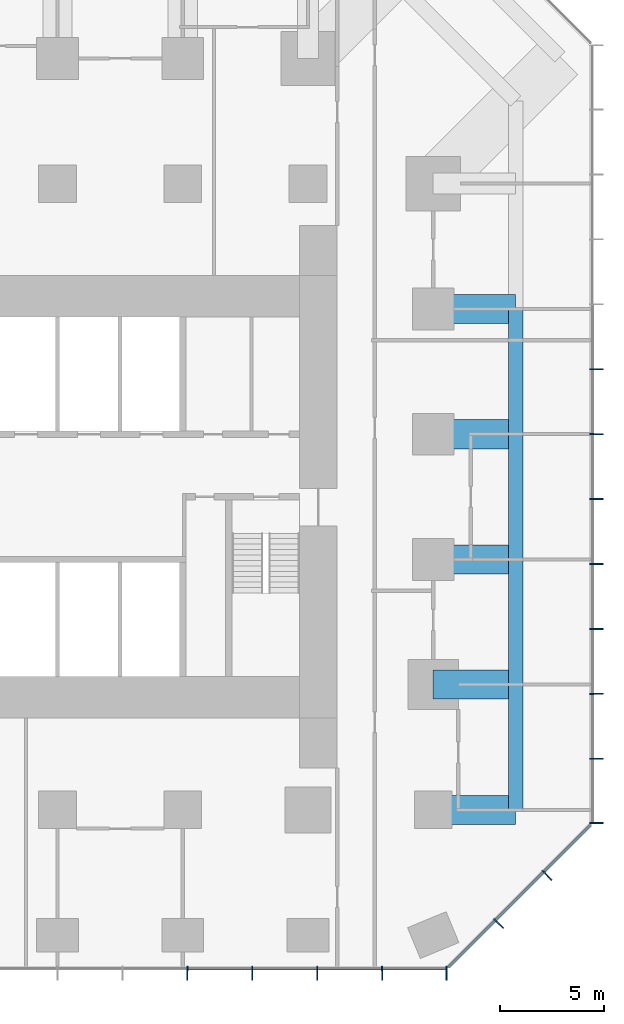
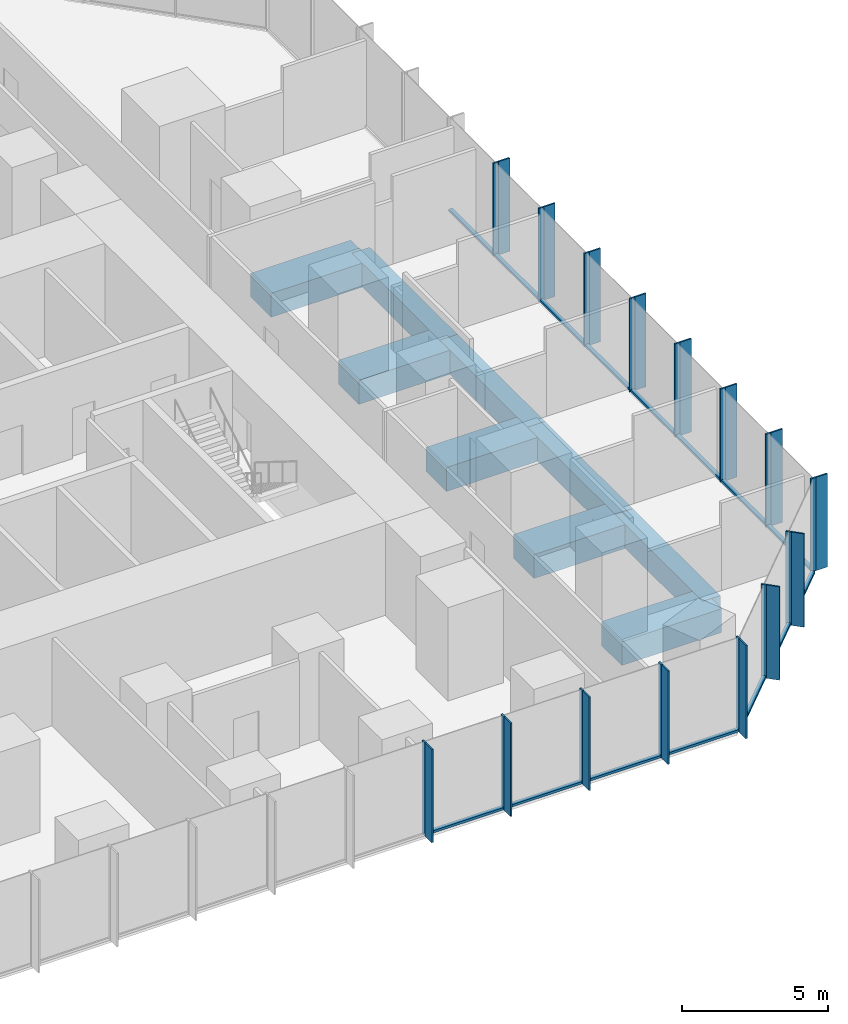
# One storey, part 4 of 12: 45 members, 9 beams, 3 elements without a shape of their own.
"""IFC4 building model written with IfcOpenShell, lengths in metres."""

import ifcopenshell
import ifcopenshell.guid

model = None  # the IFC model being written
_history = None  # IfcOwnerHistory: only IFC2X3 demands one
_inside = {}  # id of a spatial element -> (the spatial element, [elements in it])
_under = {}  # id of a project, library or spatial element -> (it, [spatial elements below it])
_declared = {}  # id of a project -> (the project, [libraries it declares])
_typed = {}  # id of a type object -> (the type object, [elements of that type])
_made_of = {}  # id of a material, layer set ... -> (it, [elements and type objects made of it])


def new_model(schema):
    """Start an empty IFC model of exactly this schema.

    Asked for "IFC4X3", IfcOpenShell would pick the latest addendum, in which some entities
    have other attributes; the version numbers below select the first issue.
    IFC2X3 requires an IfcOwnerHistory on every rooted entity: one is made here for all.
    """
    global model, _history
    if schema == "IFC4X3":
        model = ifcopenshell.file(schema_version=(4, 3, 0, 0))
    else:
        model = ifcopenshell.file(schema=schema)
    _inside.clear()
    _under.clear()
    _declared.clear()
    _typed.clear()
    _made_of.clear()
    _history = None
    if model.schema == "IFC2X3":
        org = make("IfcOrganization", Name="unknown")
        user = make(
            "IfcPersonAndOrganization",
            ThePerson=make("IfcPerson", FamilyName="unknown"),
            TheOrganization=org,
        )
        app = make(
            "IfcApplication",
            ApplicationDeveloper=org,
            Version="unknown",
            ApplicationFullName="unknown",
            ApplicationIdentifier="unknown",
        )
        _history = make(
            "IfcOwnerHistory",
            OwningUser=user,
            OwningApplication=app,
            ChangeAction="ADDED",
            CreationDate=0,
        )
    return model


def make(cls, **values):
    """One entity of the class cls with the attributes given. An attribute that is None is left unset."""
    return model.create_entity(
        cls, **{name: value for name, value in values.items() if value is not None}
    )


def rooted(cls, **values):
    """An entity with a GlobalId (a new one), such as an element, a storey or a relation."""
    return make(cls, GlobalId=ifcopenshell.guid.new(), OwnerHistory=_history, **values)


def si_unit(unit_type, name, prefix=None):
    """IfcSIUnit, for example si_unit("LENGTHUNIT", "METRE", prefix="MILLI")."""
    return make("IfcSIUnit", UnitType=unit_type, Prefix=prefix, Name=name)


def assignment(units):
    """IfcUnitAssignment: the units of a project."""
    return None if units is None else make("IfcUnitAssignment", Units=units)


def point(xyz):
    """IfcCartesianPoint."""
    return None if xyz is None else make("IfcCartesianPoint", Coordinates=xyz)


def direction(xyz):
    """IfcDirection."""
    return None if xyz is None else make("IfcDirection", DirectionRatios=xyz)


def frame(location, z_axis=None, x_axis=None):
    """IfcAxis2Placement3D, a coordinate frame: its origin and axes. An axis left out is left unset."""
    return make(
        "IfcAxis2Placement3D",
        Location=point(location),
        Axis=direction(z_axis),
        RefDirection=direction(x_axis),
    )


def frame_2d(location, x_axis=None):
    """IfcAxis2Placement2D, a coordinate frame in the plane: its origin and x axis."""
    return make(
        "IfcAxis2Placement2D", Location=point(location), RefDirection=direction(x_axis)
    )


def origin():
    """The frame at (0, 0, 0) with its axes left unset."""
    return frame((0.0, 0.0, 0.0))


def origin_2d():
    """The frame at (0, 0) in the plane with its x axis left unset."""
    return frame_2d((0.0, 0.0))


def place(relative_to, where):
    """IfcLocalPlacement: puts the frame where relative to a parent placement (None: the world)."""
    return make(
        "IfcLocalPlacement", PlacementRelTo=relative_to, RelativePlacement=where
    )


def context(
    kind, dimensions, precision=None, world=None, true_north=None, identifier=None
):
    """IfcGeometricRepresentationContext, for example the 3D "Model" context."""
    return make(
        "IfcGeometricRepresentationContext",
        ContextIdentifier=identifier,
        ContextType=kind,
        CoordinateSpaceDimension=dimensions,
        Precision=precision,
        WorldCoordinateSystem=world,
        TrueNorth=true_north,
    )


def subcontext(parent, identifier, kind, view, scale=None):
    """IfcGeometricRepresentationSubContext, for example "Body" below "Model"."""
    return make(
        "IfcGeometricRepresentationSubContext",
        ContextIdentifier=identifier,
        ContextType=kind,
        ParentContext=parent,
        TargetScale=scale,
        TargetView=view,
    )


def project(units=None, contexts=None):
    """IfcProject with its units and contexts."""
    return rooted(
        "IfcProject",
        Name="project",
        RepresentationContexts=contexts,
        UnitsInContext=assignment(units),
    )


def spatial(cls, under=None, at=None, **own):
    """A site, building, storey or space (cls), placed at a placement, below another one or the project."""
    s = rooted(cls, ObjectPlacement=at, **own)
    if under is not None:
        _under.setdefault(under.id(), (under, []))[1].append(s)
    return s


def profile(cls, at=None, kind="AREA", **sizes):
    """A parametric profile (cls). Its sizes go by their IFC names, for example OverallWidth=200.0."""
    return make(cls, ProfileType=kind, Position=at, **sizes)


def rectangle(**sizes):
    """IfcRectangleProfileDef."""
    return profile("IfcRectangleProfileDef", **sizes)


def extrude(swept, where, along, depth):
    """IfcExtrudedAreaSolid: the profile swept, set in the frame where, extruded along a direction by depth."""
    return make(
        "IfcExtrudedAreaSolid",
        SweptArea=swept,
        Position=where,
        ExtrudedDirection=direction(along),
        Depth=depth,
    )


def shape(context_of_items, identifier, shape_type, items):
    """IfcShapeRepresentation: the items that make up one representation, for example the "Body"."""
    return make(
        "IfcShapeRepresentation",
        ContextOfItems=context_of_items,
        RepresentationIdentifier=identifier,
        RepresentationType=shape_type,
        Items=items,
    )


def material(Name=None, Category=None):
    """IfcMaterial."""
    return make("IfcMaterial", Name=Name, Category=Category)


def layer(
    of_material, thickness, ventilated=None, Name=None, Category=None, Priority=None
):
    """IfcMaterialLayer: one layer of a wall or slab, of a material (None: an air gap)."""
    return make(
        "IfcMaterialLayer",
        Material=of_material,
        LayerThickness=thickness,
        IsVentilated=ventilated,
        Name=Name,
        Category=Category,
        Priority=Priority,
    )


def layer_set(layers, Name=None):
    """IfcMaterialLayerSet."""
    return make("IfcMaterialLayerSet", MaterialLayers=layers, LayerSetName=Name)


def material_profile(
    of_material, cross_section, Name=None, Category=None, Priority=None
):
    """IfcMaterialProfile: a cross section and its material."""
    return make(
        "IfcMaterialProfile",
        Name=Name,
        Material=of_material,
        Profile=cross_section,
        Priority=Priority,
        Category=Category,
    )


def profile_set(profiles, Name=None, composite=None):
    """IfcMaterialProfileSet."""
    return make(
        "IfcMaterialProfileSet",
        Name=Name,
        MaterialProfiles=profiles,
        CompositeProfile=composite,
    )


def made_of(thing, what):
    """Note that an element or type object is made of a material, layer set ...; save() writes the relation."""
    if what is not None:
        _made_of.setdefault(what.id(), (what, []))[1].append(thing)
    return thing


def type_object(cls, material=None, **own):
    """A type object (cls), such as IfcWallType, which elements share."""
    return made_of(rooted(cls, **own), material)


def element(
    cls,
    number,
    at=None,
    inside=None,
    cuts=None,
    type_object=None,
    material=None,
    context=None,
    identifier="Body",
    shape_type=None,
    held_by="IfcProductDefinitionShape",
    body=None,
    shapes=None,
    **own,
):
    """One element of the class cls, such as IfcWall. Its Tag is "e" and its number.

    at: its placement. inside: the storey or other place that contains it. cuts: it is an
    opening in that element (IfcRelVoidsElement). A single representation is given by context,
    identifier, shape_type and body (its items); several are given by shapes. held_by: the class
    of the entity that holds the representations. save() writes the other relations.
    """
    e = rooted(cls, Tag="e%d" % number, ObjectPlacement=at, **own)
    if body is not None:
        shapes = [shape(context, identifier, shape_type, body)]
    if shapes is not None:
        e.Representation = make(held_by, Representations=shapes)
    if inside is not None:
        _inside.setdefault(inside.id(), (inside, []))[1].append(e)
    if cuts is not None:
        rooted(
            "IfcRelVoidsElement", RelatingBuildingElement=cuts, RelatedOpeningElement=e
        )
    if type_object is not None:
        _typed.setdefault(type_object.id(), (type_object, []))[1].append(e)
    return made_of(e, material)


def aggregate(whole, parts):
    """IfcRelAggregates: a whole, such as a stair, and the parts it consists of."""
    return rooted("IfcRelAggregates", RelatingObject=whole, RelatedObjects=parts)


def save(model, path):
    """Write the relations noted so far, then the file.

    IfcRelAggregates (storeys below a building ...), IfcRelContainedInSpatialStructure (elements
    in a storey), IfcRelDefinesByType, IfcRelAssociatesMaterial and IfcRelDeclares: one each for
    every whole, place, type object, material and project.
    """
    for whole, parts in _under.values():
        aggregate(whole, parts)
    for where, things in _inside.values():
        rooted(
            "IfcRelContainedInSpatialStructure",
            RelatedElements=things,
            RelatingStructure=where,
        )
    for kind, things in _typed.values():
        rooted("IfcRelDefinesByType", RelatedObjects=things, RelatingType=kind)
    for what, things in _made_of.values():
        rooted("IfcRelAssociatesMaterial", RelatedObjects=things, RelatingMaterial=what)
    for by, libraries in _declared.values():
        rooted("IfcRelDeclares", RelatingContext=by, RelatedDefinitions=libraries)
    model.write(path)


model = new_model("IFC4")

# Units and contexts
model_context = context("Model", 3, precision=1e-05, world=origin(), true_north=direction((0.0, 1.0)))
body_context = subcontext(model_context, "Body", "Model", "MODEL_VIEW")
ifc_project = project(units=[si_unit("LENGTHUNIT", "METRE"), si_unit("AREAUNIT", "SQUARE_METRE"), si_unit("VOLUMEUNIT", "CUBIC_METRE"), si_unit("PLANEANGLEUNIT", "RADIAN"), si_unit("MASSUNIT", "GRAM", prefix="KILO")], contexts=[model_context])

# Site, building, storey
site_placement = place(None, origin())
site = spatial("IfcSite", under=ifc_project, at=site_placement, CompositionType="ELEMENT")
building_placement = place(site_placement, origin())
building = spatial("IfcBuilding", under=site, at=building_placement, Name="Highveld Stack Headquarters", CompositionType="ELEMENT")
storey_placement = place(building_placement, frame((0.0, 0.0, 80.60009765625)))
storey = spatial("IfcBuildingStorey", under=building, at=storey_placement, Name="L19", CompositionType="ELEMENT", Elevation=80.60009765625)

# Beams
ifc_material_1 = material(Name="Concrete C60/75", Category="concrete")
ifc_material_profile_1 = material_profile(ifc_material_1, rectangle(XDim=1.39990234375, YDim=1.0, at=origin_2d()), Name="RC 1400x1000")
ifc_profile_set_1 = profile_set([ifc_material_profile_1], Name="Concrete C60/75")
beam_type_1 = type_object("IfcBeamType", Name="CANTILEVER RIB RC 1400x1000", PredefinedType="USERDEFINED", material=ifc_profile_set_1)
for number, where, z_axis, x_axis, name in (
    (1, (24.0, -12.0, -0.75), (1.0, 0.0, 0.0), (0.0, 1.0, 0.0), "Cantilever rib 10/C L19"),
    (2, (24.0, -6.0, -0.75), (1.0, 0.0, 0.0), (0.0, 1.0, 0.0), "Cantilever rib 10/D L19"),
    (3, (24.0, 0.0, -0.75), (1.0, 0.0, 0.0), (0.0, 1.0, 0.0), "Cantilever rib 10/E L19"),
    (4, (24.0, 6.0, -0.75), (1.0, 0.0, 0.0), (0.0, 1.0, 0.0), "Cantilever rib 10/F L19"),
    (5, (24.0, 12.0, -0.75), (1.0, 0.0, 0.0), (0.0, 1.0, 0.0), "Cantilever rib 10/G L19"),
):
    element("IfcBeam", number, at=place(storey_placement, frame(where, z_axis=z_axis, x_axis=x_axis)), inside=storey, type_object=beam_type_1, Name=name, ObjectType="CANTILEVER RIB", PredefinedType="USERDEFINED", context=body_context, shape_type="SweptSolid", body=[
        extrude(rectangle(XDim=1.39990234375, YDim=1.0, at=origin_2d()), origin(), (0.0, 0.0, 1.0), 3.949951171875),
    ])

# Curtain wall, members
ifc_material_2 = material(Name="Aluminium bronze anodised", Category="aluminium")
ifc_layer_1 = layer(ifc_material_2, 0.199951171875)
ifc_layer_set_1 = layer_set([ifc_layer_1], Name="Aluminium bronze anodised")
curtain_wall_type_1 = type_object("IfcCurtainWallType", Name="CW1 TOWER UNITISED CURTAIN WALL", PredefinedType="NOTDEFINED", material=ifc_layer_set_1)
curtain_wall_1_placement = place(storey_placement, origin())
curtain_wall_1 = element("IfcCurtainWall", 6, at=curtain_wall_1_placement, inside=storey, type_object=curtain_wall_type_1, Name="Curtain wall CW1 L19 S", PredefinedType="NOTDEFINED")
ifc_material_3 = material(Name="Aluminium bronze anodised", Category="aluminium")
ifc_material_profile_2 = material_profile(ifc_material_3, rectangle(XDim=0.449951171875, YDim=0.06005859375, at=origin_2d()), Name="FIN 450x60")
ifc_profile_set_2 = profile_set([ifc_material_profile_2], Name="Aluminium bronze anodised")
member_type_1 = type_object("IfcMemberType", Name="CW1 BRONZE FIN 450x60", PredefinedType="USERDEFINED", material=ifc_profile_set_2)
member_1_placement = place(storey_placement, frame((12.220947265625, -19.925048828125, 0.0), z_axis=(0.0, 0.0, 1.0), x_axis=(0.0, 1.0, 0.0)))
member_1 = element("IfcMember", 7, at=member_1_placement, type_object=member_type_1, Name="CW1 fin L19 9", ObjectType="FIN", PredefinedType="USERDEFINED", context=body_context, shape_type="SweptSolid", body=[
    extrude(rectangle(XDim=0.449951171875, YDim=0.06005859375, at=origin_2d()), origin(), (0.0, 0.0, 1.0), 3.89990234375),
])
member_2_placement = place(storey_placement, frame((15.331298828125, -19.925048828125, 0.0), z_axis=(0.0, 0.0, 1.0), x_axis=(0.0, 1.0, 0.0)))
member_2 = element("IfcMember", 8, at=member_2_placement, type_object=member_type_1, Name="CW1 fin L19 10", ObjectType="FIN", PredefinedType="USERDEFINED", context=body_context, shape_type="SweptSolid", body=[
    extrude(rectangle(XDim=0.449951171875, YDim=0.06005859375, at=origin_2d()), origin(), (0.0, 0.0, 1.0), 3.89990234375),
])
member_3_placement = place(storey_placement, frame((18.44189453125, -19.925048828125, 0.0), z_axis=(0.0, 0.0, 1.0), x_axis=(0.0, 1.0, 0.0)))
member_3 = element("IfcMember", 9, at=member_3_placement, type_object=member_type_1, Name="CW1 fin L19 11", ObjectType="FIN", PredefinedType="USERDEFINED", context=body_context, shape_type="SweptSolid", body=[
    extrude(rectangle(XDim=0.449951171875, YDim=0.06005859375, at=origin_2d()), origin(), (0.0, 0.0, 1.0), 3.89990234375),
])
member_4_placement = place(storey_placement, frame((21.55224609375, -19.925048828125, 0.0), z_axis=(0.0, 0.0, 1.0), x_axis=(0.0, 1.0, 0.0)))
member_4 = element("IfcMember", 10, at=member_4_placement, type_object=member_type_1, Name="CW1 fin L19 12", ObjectType="FIN", PredefinedType="USERDEFINED", context=body_context, shape_type="SweptSolid", body=[
    extrude(rectangle(XDim=0.449951171875, YDim=0.06005859375, at=origin_2d()), origin(), (0.0, 0.0, 1.0), 3.89990234375),
])
member_5_placement = place(storey_placement, frame((24.630126953125, -19.925048828125, 0.0), z_axis=(0.0, 0.0, 1.0), x_axis=(0.0, 1.0, 0.0)))
member_5 = element("IfcMember", 11, at=member_5_placement, type_object=member_type_1, Name="CW1 fin L19 13", ObjectType="FIN", PredefinedType="USERDEFINED", context=body_context, shape_type="SweptSolid", body=[
    extrude(rectangle(XDim=0.449951171875, YDim=0.06005859375, at=origin_2d()), origin(), (0.0, 0.0, 1.0), 3.89990234375),
])

curtain_wall_2_placement = place(storey_placement, origin())
curtain_wall_2 = element("IfcCurtainWall", 12, at=curtain_wall_2_placement, inside=storey, type_object=curtain_wall_type_1, Name="Curtain wall CW1 L19 E", PredefinedType="NOTDEFINED")
member_6_placement = place(storey_placement, frame((31.925048828125, -12.630126953125, 0.0), z_axis=(0.0, 0.0, 1.0), x_axis=(-1.0, 0.0, 0.0)))
member_6 = element("IfcMember", 13, at=member_6_placement, type_object=member_type_1, Name="CW1 fin L19 1", ObjectType="FIN", PredefinedType="USERDEFINED", context=body_context, shape_type="SweptSolid", body=[
    extrude(rectangle(XDim=0.449951171875, YDim=0.06005859375, at=origin_2d()), origin(), (0.0, 0.0, 1.0), 3.89990234375),
])
member_7_placement = place(storey_placement, frame((31.925048828125, -9.55224609375, 0.0), z_axis=(0.0, 0.0, 1.0), x_axis=(-1.0, 0.0, 0.0)))
member_7 = element("IfcMember", 14, at=member_7_placement, type_object=member_type_1, Name="CW1 fin L19 2", ObjectType="FIN", PredefinedType="USERDEFINED", context=body_context, shape_type="SweptSolid", body=[
    extrude(rectangle(XDim=0.449951171875, YDim=0.06005859375, at=origin_2d()), origin(), (0.0, 0.0, 1.0), 3.89990234375),
])
member_8_placement = place(storey_placement, frame((31.925048828125, -6.44189453125, 0.0), z_axis=(0.0, 0.0, 1.0), x_axis=(-1.0, 0.0, 0.0)))
member_8 = element("IfcMember", 15, at=member_8_placement, type_object=member_type_1, Name="CW1 fin L19 3", ObjectType="FIN", PredefinedType="USERDEFINED", context=body_context, shape_type="SweptSolid", body=[
    extrude(rectangle(XDim=0.449951171875, YDim=0.06005859375, at=origin_2d()), origin(), (0.0, 0.0, 1.0), 3.89990234375),
])
member_9_placement = place(storey_placement, frame((31.925048828125, -3.331298828125, 0.0), z_axis=(0.0, 0.0, 1.0), x_axis=(-1.0, 0.0, 0.0)))
member_9 = element("IfcMember", 16, at=member_9_placement, type_object=member_type_1, Name="CW1 fin L19 4", ObjectType="FIN", PredefinedType="USERDEFINED", context=body_context, shape_type="SweptSolid", body=[
    extrude(rectangle(XDim=0.449951171875, YDim=0.06005859375, at=origin_2d()), origin(), (0.0, 0.0, 1.0), 3.89990234375),
])
member_10_placement = place(storey_placement, frame((31.925048828125, -0.220947265625, 0.0), z_axis=(0.0, 0.0, 1.0), x_axis=(-1.0, 0.0, 0.0)))
member_10 = element("IfcMember", 17, at=member_10_placement, type_object=member_type_1, Name="CW1 fin L19 5", ObjectType="FIN", PredefinedType="USERDEFINED", context=body_context, shape_type="SweptSolid", body=[
    extrude(rectangle(XDim=0.449951171875, YDim=0.06005859375, at=origin_2d()), origin(), (0.0, 0.0, 1.0), 3.89990234375),
])
member_11_placement = place(storey_placement, frame((31.925048828125, 2.8896484375, 0.0), z_axis=(0.0, 0.0, 1.0), x_axis=(-1.0, 0.0, 0.0)))
member_11 = element("IfcMember", 18, at=member_11_placement, type_object=member_type_1, Name="CW1 fin L19 6", ObjectType="FIN", PredefinedType="USERDEFINED", context=body_context, shape_type="SweptSolid", body=[
    extrude(rectangle(XDim=0.449951171875, YDim=0.06005859375, at=origin_2d()), origin(), (0.0, 0.0, 1.0), 3.89990234375),
])
member_12_placement = place(storey_placement, frame((31.925048828125, 6.0, 0.0), z_axis=(0.0, 0.0, 1.0), x_axis=(-1.0, 0.0, 0.0)))
member_12 = element("IfcMember", 19, at=member_12_placement, type_object=member_type_1, Name="CW1 fin L19 7", ObjectType="FIN", PredefinedType="USERDEFINED", context=body_context, shape_type="SweptSolid", body=[
    extrude(rectangle(XDim=0.449951171875, YDim=0.06005859375, at=origin_2d()), origin(), (0.0, 0.0, 1.0), 3.89990234375),
])
member_13_placement = place(storey_placement, frame((31.925048828125, 9.110595703125, 0.0), z_axis=(0.0, 0.0, 1.0), x_axis=(-1.0, 0.0, 0.0)))
member_13 = element("IfcMember", 20, at=member_13_placement, type_object=member_type_1, Name="CW1 fin L19 8", ObjectType="FIN", PredefinedType="USERDEFINED", context=body_context, shape_type="SweptSolid", body=[
    extrude(rectangle(XDim=0.449951171875, YDim=0.06005859375, at=origin_2d()), origin(), (0.0, 0.0, 1.0), 3.89990234375),
])

# Member
ifc_material_4 = material(Name="Aluminium bronze anodised", Category="aluminium")
ifc_material_profile_3 = material_profile(ifc_material_4, rectangle(XDim=0.199951171875, YDim=0.06494140625, at=origin_2d()), Name="CW1 MULLION 65x200")
ifc_profile_set_3 = profile_set([ifc_material_profile_3], Name="Aluminium bronze anodised")
member_type_2 = type_object("IfcMemberType", Name="CW1 MULLION 65x200", PredefinedType="MULLION", material=ifc_profile_set_3)
member_14_placement = place(storey_placement, frame((12.220947265625, -19.60009765625, 0.0), z_axis=(0.0, 0.0, 1.0), x_axis=(0.0, 1.0, 0.0)))
member_14 = element("IfcMember", 21, at=member_14_placement, type_object=member_type_2, Name="CW1 mullion L19 9", PredefinedType="MULLION", context=body_context, shape_type="SweptSolid", body=[
    extrude(rectangle(XDim=0.199951171875, YDim=0.06494140625, at=origin_2d()), origin(), (0.0, 0.0, 1.0), 3.89990234375),
])

member_15_placement = place(storey_placement, frame((15.331298828125, -19.60009765625, 0.0), z_axis=(0.0, 0.0, 1.0), x_axis=(0.0, 1.0, 0.0)))
member_15 = element("IfcMember", 22, at=member_15_placement, type_object=member_type_2, Name="CW1 mullion L19 10", PredefinedType="MULLION", context=body_context, shape_type="SweptSolid", body=[
    extrude(rectangle(XDim=0.199951171875, YDim=0.06494140625, at=origin_2d()), origin(), (0.0, 0.0, 1.0), 3.89990234375),
])

member_16_placement = place(storey_placement, frame((18.44189453125, -19.60009765625, 0.0), z_axis=(0.0, 0.0, 1.0), x_axis=(0.0, 1.0, 0.0)))
member_16 = element("IfcMember", 23, at=member_16_placement, type_object=member_type_2, Name="CW1 mullion L19 11", PredefinedType="MULLION", context=body_context, shape_type="SweptSolid", body=[
    extrude(rectangle(XDim=0.199951171875, YDim=0.06494140625, at=origin_2d()), origin(), (0.0, 0.0, 1.0), 3.89990234375),
])

member_17_placement = place(storey_placement, frame((21.55224609375, -19.60009765625, 0.0), z_axis=(0.0, 0.0, 1.0), x_axis=(0.0, 1.0, 0.0)))
member_17 = element("IfcMember", 24, at=member_17_placement, type_object=member_type_2, Name="CW1 mullion L19 12", PredefinedType="MULLION", context=body_context, shape_type="SweptSolid", body=[
    extrude(rectangle(XDim=0.199951171875, YDim=0.06494140625, at=origin_2d()), origin(), (0.0, 0.0, 1.0), 3.89990234375),
])

member_18_placement = place(storey_placement, frame((24.630126953125, -19.60009765625, 0.0), z_axis=(0.0, 0.0, 1.0), x_axis=(0.0, 1.0, 0.0)))
member_18 = element("IfcMember", 25, at=member_18_placement, type_object=member_type_2, Name="CW1 mullion L19 13", PredefinedType="MULLION", context=body_context, shape_type="SweptSolid", body=[
    extrude(rectangle(XDim=0.199951171875, YDim=0.06494140625, at=origin_2d()), origin(), (0.0, 0.0, 1.0), 3.89990234375),
])

member_19_placement = place(storey_placement, frame((31.60009765625, -12.630126953125, 0.0), z_axis=(0.0, 0.0, 1.0), x_axis=(-1.0, 0.0, 0.0)))
member_19 = element("IfcMember", 26, at=member_19_placement, type_object=member_type_2, Name="CW1 mullion L19 1", PredefinedType="MULLION", context=body_context, shape_type="SweptSolid", body=[
    extrude(rectangle(XDim=0.199951171875, YDim=0.06494140625, at=origin_2d()), origin(), (0.0, 0.0, 1.0), 3.89990234375),
])

member_20_placement = place(storey_placement, frame((31.60009765625, -9.55224609375, 0.0), z_axis=(0.0, 0.0, 1.0), x_axis=(-1.0, 0.0, 0.0)))
member_20 = element("IfcMember", 27, at=member_20_placement, type_object=member_type_2, Name="CW1 mullion L19 2", PredefinedType="MULLION", context=body_context, shape_type="SweptSolid", body=[
    extrude(rectangle(XDim=0.199951171875, YDim=0.06494140625, at=origin_2d()), origin(), (0.0, 0.0, 1.0), 3.89990234375),
])

member_21_placement = place(storey_placement, frame((31.60009765625, -6.44189453125, 0.0), z_axis=(0.0, 0.0, 1.0), x_axis=(-1.0, 0.0, 0.0)))
member_21 = element("IfcMember", 28, at=member_21_placement, type_object=member_type_2, Name="CW1 mullion L19 3", PredefinedType="MULLION", context=body_context, shape_type="SweptSolid", body=[
    extrude(rectangle(XDim=0.199951171875, YDim=0.06494140625, at=origin_2d()), origin(), (0.0, 0.0, 1.0), 3.89990234375),
])

member_22_placement = place(storey_placement, frame((31.60009765625, -3.331298828125, 0.0), z_axis=(0.0, 0.0, 1.0), x_axis=(-1.0, 0.0, 0.0)))
member_22 = element("IfcMember", 29, at=member_22_placement, type_object=member_type_2, Name="CW1 mullion L19 4", PredefinedType="MULLION", context=body_context, shape_type="SweptSolid", body=[
    extrude(rectangle(XDim=0.199951171875, YDim=0.06494140625, at=origin_2d()), origin(), (0.0, 0.0, 1.0), 3.89990234375),
])

member_23_placement = place(storey_placement, frame((31.60009765625, -0.220947265625, 0.0), z_axis=(0.0, 0.0, 1.0), x_axis=(-1.0, 0.0, 0.0)))
member_23 = element("IfcMember", 30, at=member_23_placement, type_object=member_type_2, Name="CW1 mullion L19 5", PredefinedType="MULLION", context=body_context, shape_type="SweptSolid", body=[
    extrude(rectangle(XDim=0.199951171875, YDim=0.06494140625, at=origin_2d()), origin(), (0.0, 0.0, 1.0), 3.89990234375),
])

member_24_placement = place(storey_placement, frame((31.60009765625, 2.8896484375, 0.0), z_axis=(0.0, 0.0, 1.0), x_axis=(-1.0, 0.0, 0.0)))
member_24 = element("IfcMember", 31, at=member_24_placement, type_object=member_type_2, Name="CW1 mullion L19 6", PredefinedType="MULLION", context=body_context, shape_type="SweptSolid", body=[
    extrude(rectangle(XDim=0.199951171875, YDim=0.06494140625, at=origin_2d()), origin(), (0.0, 0.0, 1.0), 3.89990234375),
])

member_25_placement = place(storey_placement, frame((31.60009765625, 6.0, 0.0), z_axis=(0.0, 0.0, 1.0), x_axis=(-1.0, 0.0, 0.0)))
member_25 = element("IfcMember", 32, at=member_25_placement, type_object=member_type_2, Name="CW1 mullion L19 7", PredefinedType="MULLION", context=body_context, shape_type="SweptSolid", body=[
    extrude(rectangle(XDim=0.199951171875, YDim=0.06494140625, at=origin_2d()), origin(), (0.0, 0.0, 1.0), 3.89990234375),
])

member_26_placement = place(storey_placement, frame((31.60009765625, 9.110595703125, 0.0), z_axis=(0.0, 0.0, 1.0), x_axis=(-1.0, 0.0, 0.0)))
member_26 = element("IfcMember", 33, at=member_26_placement, type_object=member_type_2, Name="CW1 mullion L19 8", PredefinedType="MULLION", context=body_context, shape_type="SweptSolid", body=[
    extrude(rectangle(XDim=0.199951171875, YDim=0.06494140625, at=origin_2d()), origin(), (0.0, 0.0, 1.0), 3.89990234375),
])

ifc_material_5 = material(Name="Aluminium bronze anodised", Category="aluminium")
ifc_material_profile_4 = material_profile(ifc_material_5, rectangle(XDim=0.14990234375, YDim=0.10009765625, at=origin_2d()), Name="CW1 TRANSOM 150x100")
ifc_profile_set_4 = profile_set([ifc_material_profile_4], Name="Aluminium bronze anodised")
member_type_3 = type_object("IfcMemberType", Name="CW1 STACK TRANSOM 150x100", PredefinedType="USERDEFINED", material=ifc_profile_set_4)
member_27_placement = place(storey_placement, frame((12.25341796875, -19.60009765625, 0.0498046875), z_axis=(1.0, 0.0, 0.0), x_axis=(0.0, 1.0, 0.0)))
member_27 = element("IfcMember", 34, at=member_27_placement, type_object=member_type_3, Name="CW1 transom L19 9.1", ObjectType="TRANSOM", PredefinedType="USERDEFINED", context=body_context, shape_type="SweptSolid", body=[
    extrude(rectangle(XDim=0.14990234375, YDim=0.10009765625, at=origin_2d()), origin(), (0.0, 0.0, 1.0), 3.04541015625),
])

member_28_placement = place(storey_placement, frame((15.364013671875, -19.60009765625, 0.0498046875), z_axis=(1.0, 0.0, 0.0), x_axis=(0.0, 1.0, 0.0)))
member_28 = element("IfcMember", 35, at=member_28_placement, type_object=member_type_3, Name="CW1 transom L19 10.1", ObjectType="TRANSOM", PredefinedType="USERDEFINED", context=body_context, shape_type="SweptSolid", body=[
    extrude(rectangle(XDim=0.14990234375, YDim=0.10009765625, at=origin_2d()), origin(), (0.0, 0.0, 1.0), 3.045166015625),
])

member_29_placement = place(storey_placement, frame((18.474365234375, -19.60009765625, 0.0498046875), z_axis=(1.0, 0.0, 0.0), x_axis=(0.0, 1.0, 0.0)))
member_29 = element("IfcMember", 36, at=member_29_placement, type_object=member_type_3, Name="CW1 transom L19 11.1", ObjectType="TRANSOM", PredefinedType="USERDEFINED", context=body_context, shape_type="SweptSolid", body=[
    extrude(rectangle(XDim=0.14990234375, YDim=0.10009765625, at=origin_2d()), origin(), (0.0, 0.0, 1.0), 3.04541015625),
])

member_30_placement = place(storey_placement, frame((21.584716796875, -19.60009765625, 0.0498046875), z_axis=(1.0, 0.0, 0.0), x_axis=(0.0, 1.0, 0.0)))
member_30 = element("IfcMember", 37, at=member_30_placement, type_object=member_type_3, Name="CW1 transom L19 12.1", ObjectType="TRANSOM", PredefinedType="USERDEFINED", context=body_context, shape_type="SweptSolid", body=[
    extrude(rectangle(XDim=0.14990234375, YDim=0.10009765625, at=origin_2d()), origin(), (0.0, 0.0, 1.0), 3.012939453125),
])

aggregate(curtain_wall_1, [member_14, member_1, member_15, member_2, member_16, member_3, member_17, member_4, member_18, member_5, member_27, member_28, member_29, member_30])

member_31_placement = place(storey_placement, frame((31.60009765625, -12.59765625, 0.0498046875), z_axis=(0.0, 1.0, 0.0), x_axis=(-1.0, 0.0, 0.0)))
member_31 = element("IfcMember", 38, at=member_31_placement, type_object=member_type_3, Name="CW1 transom L19 1.1", ObjectType="TRANSOM", PredefinedType="USERDEFINED", context=body_context, shape_type="SweptSolid", body=[
    extrude(rectangle(XDim=0.14990234375, YDim=0.10009765625, at=origin_2d()), origin(), (0.0, 0.0, 1.0), 3.012939453125),
])

member_32_placement = place(storey_placement, frame((31.60009765625, -9.519775390625, 0.0498046875), z_axis=(0.0, 1.0, 0.0), x_axis=(-1.0, 0.0, 0.0)))
member_32 = element("IfcMember", 39, at=member_32_placement, type_object=member_type_3, Name="CW1 transom L19 2.1", ObjectType="TRANSOM", PredefinedType="USERDEFINED", context=body_context, shape_type="SweptSolid", body=[
    extrude(rectangle(XDim=0.14990234375, YDim=0.10009765625, at=origin_2d()), origin(), (0.0, 0.0, 1.0), 3.04541015625),
])

member_33_placement = place(storey_placement, frame((31.60009765625, -6.4091796875, 0.0498046875), z_axis=(0.0, 1.0, 0.0), x_axis=(-1.0, 0.0, 0.0)))
member_33 = element("IfcMember", 40, at=member_33_placement, type_object=member_type_3, Name="CW1 transom L19 3.1", ObjectType="TRANSOM", PredefinedType="USERDEFINED", context=body_context, shape_type="SweptSolid", body=[
    extrude(rectangle(XDim=0.14990234375, YDim=0.10009765625, at=origin_2d()), origin(), (0.0, 0.0, 1.0), 3.04541015625),
])

member_34_placement = place(storey_placement, frame((31.60009765625, -3.298828125, 0.0498046875), z_axis=(0.0, 1.0, 0.0), x_axis=(-1.0, 0.0, 0.0)))
member_34 = element("IfcMember", 41, at=member_34_placement, type_object=member_type_3, Name="CW1 transom L19 4.1", ObjectType="TRANSOM", PredefinedType="USERDEFINED", context=body_context, shape_type="SweptSolid", body=[
    extrude(rectangle(XDim=0.14990234375, YDim=0.10009765625, at=origin_2d()), origin(), (0.0, 0.0, 1.0), 3.04541015625),
])

member_35_placement = place(storey_placement, frame((31.60009765625, -0.1884765625, 0.0498046875), z_axis=(0.0, 1.0, 0.0), x_axis=(-1.0, 0.0, 0.0)))
member_35 = element("IfcMember", 42, at=member_35_placement, type_object=member_type_3, Name="CW1 transom L19 5.1", ObjectType="TRANSOM", PredefinedType="USERDEFINED", context=body_context, shape_type="SweptSolid", body=[
    extrude(rectangle(XDim=0.14990234375, YDim=0.10009765625, at=origin_2d()), origin(), (0.0, 0.0, 1.0), 3.045654296875),
])

member_36_placement = place(storey_placement, frame((31.60009765625, 2.922119140625, 0.0498046875), z_axis=(0.0, 1.0, 0.0), x_axis=(-1.0, 0.0, 0.0)))
member_36 = element("IfcMember", 43, at=member_36_placement, type_object=member_type_3, Name="CW1 transom L19 6.1", ObjectType="TRANSOM", PredefinedType="USERDEFINED", context=body_context, shape_type="SweptSolid", body=[
    extrude(rectangle(XDim=0.14990234375, YDim=0.10009765625, at=origin_2d()), origin(), (0.0, 0.0, 1.0), 3.04541015625),
])

member_37_placement = place(storey_placement, frame((31.60009765625, 6.032470703125, 0.0498046875), z_axis=(0.0, 1.0, 0.0), x_axis=(-1.0, 0.0, 0.0)))
member_37 = element("IfcMember", 44, at=member_37_placement, type_object=member_type_3, Name="CW1 transom L19 7.1", ObjectType="TRANSOM", PredefinedType="USERDEFINED", context=body_context, shape_type="SweptSolid", body=[
    extrude(rectangle(XDim=0.14990234375, YDim=0.10009765625, at=origin_2d()), origin(), (0.0, 0.0, 1.0), 3.04541015625),
])

member_38_placement = place(storey_placement, frame((31.60009765625, 9.14306640625, 0.0498046875), z_axis=(0.0, 1.0, 0.0), x_axis=(-1.0, 0.0, 0.0)))
member_38 = element("IfcMember", 45, at=member_38_placement, type_object=member_type_3, Name="CW1 transom L19 8.1", ObjectType="TRANSOM", PredefinedType="USERDEFINED", context=body_context, shape_type="SweptSolid", body=[
    extrude(rectangle(XDim=0.14990234375, YDim=0.10009765625, at=origin_2d()), origin(), (0.0, 0.0, 1.0), 3.04541015625),
])

aggregate(curtain_wall_2, [member_19, member_6, member_20, member_7, member_21, member_8, member_22, member_9, member_23, member_10, member_24, member_11, member_25, member_12, member_26, member_13, member_31, member_32, member_33, member_34, member_35, member_36, member_37, member_38])

# Curtain wall, members
ifc_material_6 = material(Name="Aluminium bronze anodised", Category="aluminium")
ifc_layer_2 = layer(ifc_material_6, 0.199951171875)
ifc_layer_set_2 = layer_set([ifc_layer_2], Name="Aluminium bronze anodised")
curtain_wall_type_2 = type_object("IfcCurtainWallType", Name="CW2 TOWER CHAMFER UNITISED CURTAIN WALL", PredefinedType="NOTDEFINED", material=ifc_layer_set_2)
curtain_wall_3_placement = place(storey_placement, origin())
curtain_wall_3 = element("IfcCurtainWall", 46, at=curtain_wall_3_placement, inside=storey, type_object=curtain_wall_type_2, Name="Curtain wall CW2 L19 SE", PredefinedType="NOTDEFINED")
ifc_material_7 = material(Name="Aluminium bronze anodised", Category="aluminium")
ifc_material_profile_5 = material_profile(ifc_material_7, rectangle(XDim=0.449951171875, YDim=0.06005859375, at=origin_2d()), Name="FIN 450x60")
ifc_profile_set_5 = profile_set([ifc_material_profile_5], Name="Aluminium bronze anodised")
member_type_4 = type_object("IfcMemberType", Name="CW2 BRONZE FIN 450x60", PredefinedType="USERDEFINED", material=ifc_profile_set_5)
member_39_placement = place(storey_placement, frame((27.204833984375, -17.517333984375, 0.0), z_axis=(0.0, 0.0, 1.0), x_axis=(-0.707106781187, 0.707106781187, 0.0)))
member_39 = element("IfcMember", 47, at=member_39_placement, type_object=member_type_4, Name="CW2 fin L19 1", ObjectType="FIN", PredefinedType="USERDEFINED", context=body_context, shape_type="SweptSolid", body=[
    extrude(rectangle(XDim=0.449951171875, YDim=0.06005859375, at=origin_2d()), origin(), (0.0, 0.0, 1.0), 3.89990234375),
])
member_40_placement = place(storey_placement, frame((29.517333984375, -15.204833984375, 0.0), z_axis=(0.0, 0.0, 1.0), x_axis=(-0.707106781187, 0.707106781187, 0.0)))
member_40 = element("IfcMember", 48, at=member_40_placement, type_object=member_type_4, Name="CW2 fin L19 2", ObjectType="FIN", PredefinedType="USERDEFINED", context=body_context, shape_type="SweptSolid", body=[
    extrude(rectangle(XDim=0.449951171875, YDim=0.06005859375, at=origin_2d()), origin(), (0.0, 0.0, 1.0), 3.89990234375),
])
ifc_material_8 = material(Name="Aluminium bronze anodised", Category="aluminium")
ifc_material_profile_6 = material_profile(ifc_material_8, rectangle(XDim=0.199951171875, YDim=0.06494140625, at=origin_2d()), Name="CW2 MULLION 65x200")
ifc_profile_set_6 = profile_set([ifc_material_profile_6], Name="Aluminium bronze anodised")
member_type_5 = type_object("IfcMemberType", Name="CW2 MULLION 65x200", PredefinedType="MULLION", material=ifc_profile_set_6)
member_41_placement = place(storey_placement, frame((26.97509765625, -17.28759765625, 0.0), z_axis=(0.0, 0.0, 1.0), x_axis=(-0.707106781187, 0.707106781187, 0.0)))
member_41 = element("IfcMember", 49, at=member_41_placement, type_object=member_type_5, Name="CW2 mullion L19 1", PredefinedType="MULLION", context=body_context, shape_type="SweptSolid", body=[
    extrude(rectangle(XDim=0.199951171875, YDim=0.06494140625, at=origin_2d()), origin(), (0.0, 0.0, 1.0), 3.89990234375),
])
member_42_placement = place(storey_placement, frame((29.28759765625, -14.97509765625, 0.0), z_axis=(0.0, 0.0, 1.0), x_axis=(-0.707106781187, 0.707106781187, 0.0)))
member_42 = element("IfcMember", 50, at=member_42_placement, type_object=member_type_5, Name="CW2 mullion L19 2", PredefinedType="MULLION", context=body_context, shape_type="SweptSolid", body=[
    extrude(rectangle(XDim=0.199951171875, YDim=0.06494140625, at=origin_2d()), origin(), (0.0, 0.0, 1.0), 3.89990234375),
])
ifc_material_9 = material(Name="Aluminium bronze anodised", Category="aluminium")
ifc_material_profile_7 = material_profile(ifc_material_9, rectangle(XDim=0.14990234375, YDim=0.10009765625, at=origin_2d()), Name="CW2 TRANSOM 150x100")
ifc_profile_set_7 = profile_set([ifc_material_profile_7], Name="Aluminium bronze anodised")
member_type_6 = type_object("IfcMemberType", Name="CW2 STACK TRANSOM 150x100", PredefinedType="USERDEFINED", material=ifc_profile_set_7)
member_43_placement = place(storey_placement, frame((24.7333984375, -19.529296875, 0.0498046875), z_axis=(0.707106781187, 0.707106781187, 0.0), x_axis=(-0.707106781187, 0.707106781187, 0.0)))
member_43 = element("IfcMember", 51, at=member_43_placement, type_object=member_type_6, Name="CW2 transom L19 1.1", ObjectType="TRANSOM", PredefinedType="USERDEFINED", context=body_context, shape_type="SweptSolid", body=[
    extrude(rectangle(XDim=0.14990234375, YDim=0.10009765625, at=origin_2d()), origin(), (0.0, 0.0, 1.0), 3.1376953125),
])
member_44_placement = place(storey_placement, frame((26.998046875, -17.2646484375, 0.0498046875), z_axis=(0.707106781187, 0.707106781187, 0.0), x_axis=(-0.707106781187, 0.707106781187, 0.0)))
member_44 = element("IfcMember", 52, at=member_44_placement, type_object=member_type_6, Name="CW2 transom L19 2.1", ObjectType="TRANSOM", PredefinedType="USERDEFINED", context=body_context, shape_type="SweptSolid", body=[
    extrude(rectangle(XDim=0.14990234375, YDim=0.10009765625, at=origin_2d()), origin(), (0.0, 0.0, 1.0), 3.20556640625),
])
member_45_placement = place(storey_placement, frame((29.310546875, -14.9521484375, 0.0498046875), z_axis=(0.707106781187, 0.707106781187, 0.0), x_axis=(-0.707106781187, 0.707106781187, 0.0)))
member_45 = element("IfcMember", 53, at=member_45_placement, type_object=member_type_6, Name="CW2 transom L19 3.1", ObjectType="TRANSOM", PredefinedType="USERDEFINED", context=body_context, shape_type="SweptSolid", body=[
    extrude(rectangle(XDim=0.14990234375, YDim=0.10009765625, at=origin_2d()), origin(), (0.0, 0.0, 1.0), 3.1376953125),
])
aggregate(curtain_wall_3, [member_41, member_39, member_42, member_40, member_43, member_44, member_45])

# Beams
ifc_material_10 = material(Name="Concrete C60/75", Category="concrete")
ifc_material_profile_8 = material_profile(ifc_material_10, rectangle(XDim=0.699951171875, YDim=1.0, at=origin_2d()), Name="RC 700x1000")
ifc_profile_set_8 = profile_set([ifc_material_profile_8], Name="Concrete C60/75")
beam_type_2 = type_object("IfcBeamType", Name="RIB TIP BEAM RC 700x1000", PredefinedType="SPANDREL", material=ifc_profile_set_8)
for number, where, z_axis, x_axis, name in (
    (54, (27.949951171875, -12.0, -0.75), (0.0, 1.0, 0.0), (-1.0, 0.0, 0.0), "Rib tip beam 10/C to 10/D L19"),
    (55, (27.949951171875, -6.0, -0.75), (0.0, 1.0, 0.0), (-1.0, 0.0, 0.0), "Rib tip beam 10/D to 10/E L19"),
    (56, (27.949951171875, 0.0, -0.75), (0.0, 1.0, 0.0), (-1.0, 0.0, 0.0), "Rib tip beam 10/E to 10/F L19"),
    (57, (27.949951171875, 6.0, -0.75), (0.0, 1.0, 0.0), (-1.0, 0.0, 0.0), "Rib tip beam 10/F to 10/G L19"),
):
    element("IfcBeam", number, at=place(storey_placement, frame(where, z_axis=z_axis, x_axis=x_axis)), inside=storey, type_object=beam_type_2, Name=name, PredefinedType="SPANDREL", context=body_context, shape_type="SweptSolid", body=[
        extrude(rectangle(XDim=0.699951171875, YDim=1.0, at=origin_2d()), origin(), (0.0, 0.0, 1.0), 6.0),
    ])

save(model, "model.ifc")
